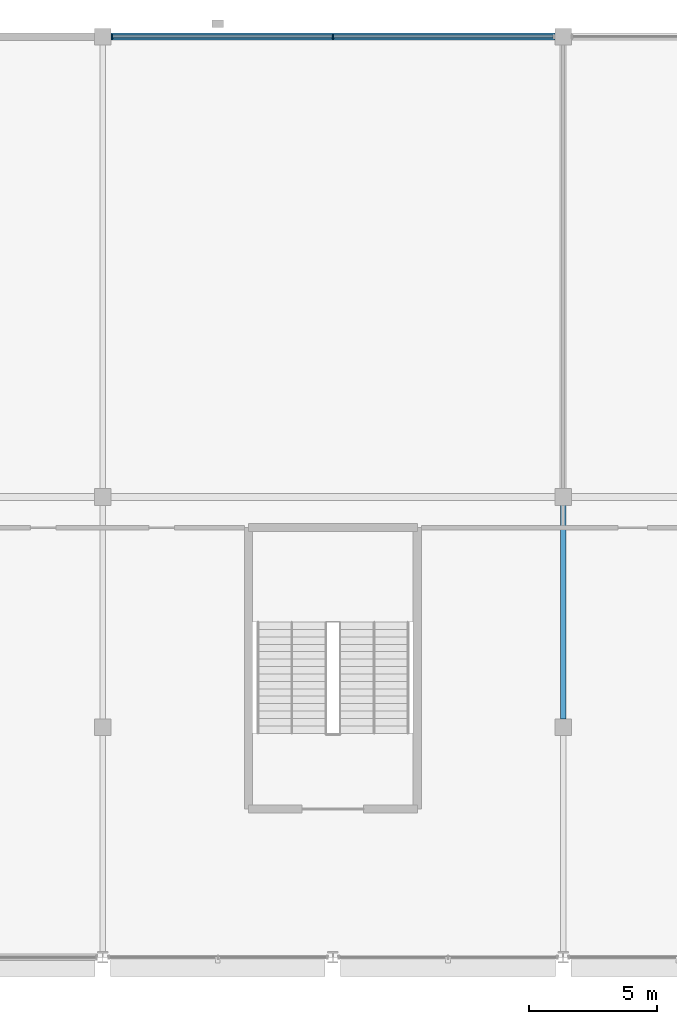
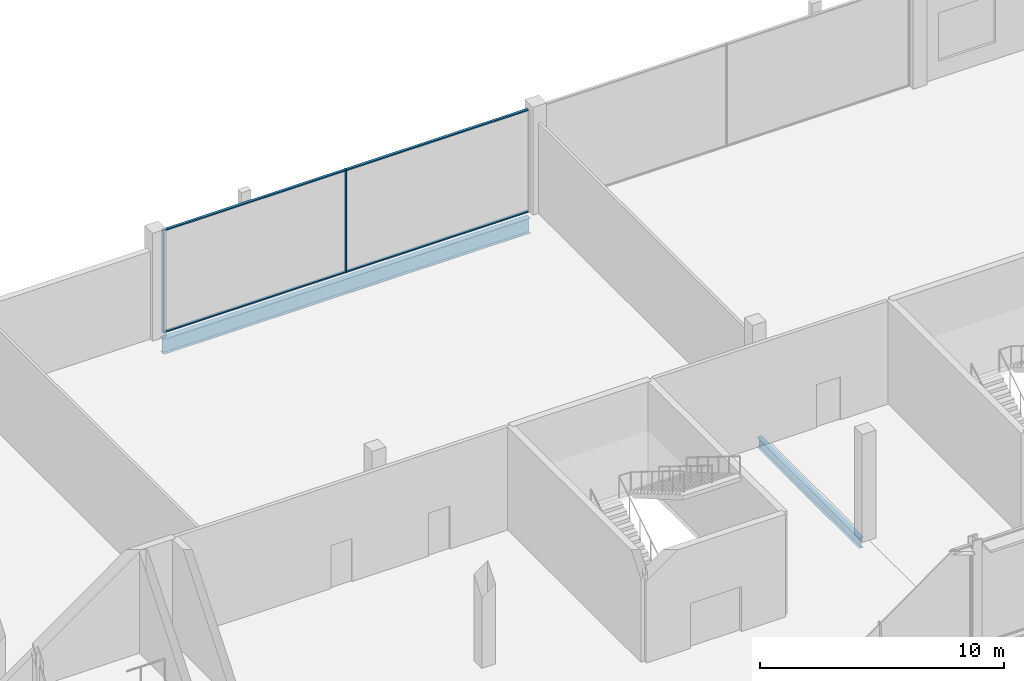
# One storey, part 37 of 111: 6 members, 2 beams, 1 element without a shape of its own.
"""IFC4 building model written with IfcOpenShell, lengths in metres."""

from ifc_helpers import new_model, si_unit, direction, frame, origin, origin_2d, place, context, subcontext, project, spatial, rectangle, i_section, extrude, material, layer, layer_set, material_profile, profile_set, type_object, element, aggregate, save


model = new_model("IFC4")

# Units and contexts
model_context = context("Model", 3, precision=1e-05, world=origin(), true_north=direction((0.0, 1.0)))
body_context = subcontext(model_context, "Body", "Model", "MODEL_VIEW")
ifc_project = project(units=[si_unit("LENGTHUNIT", "METRE"), si_unit("AREAUNIT", "SQUARE_METRE"), si_unit("VOLUMEUNIT", "CUBIC_METRE"), si_unit("PLANEANGLEUNIT", "RADIAN"), si_unit("MASSUNIT", "GRAM", prefix="KILO")], contexts=[model_context])

# Site, building, storey
site_placement = place(None, origin())
site = spatial("IfcSite", under=ifc_project, at=site_placement, CompositionType="ELEMENT")
building_placement = place(site_placement, origin())
building = spatial("IfcBuilding", under=site, at=building_placement, Name="Kisiwana Market Hall", CompositionType="ELEMENT")
storey_placement = place(building_placement, frame((0.0, 0.0, 11.39990234375)))
storey = spatial("IfcBuildingStorey", under=building, at=storey_placement, Name="L02", CompositionType="ELEMENT", Elevation=11.39990234375)

# Beams
ifc_material_1 = material(Name="Steel S355", Category="steel")
ifc_material_profile_1 = material_profile(ifc_material_1, i_section(OverallWidth=0.209228515625, OverallDepth=0.533203125, WebThickness=0.010009765625, FlangeThickness=0.015625, at=origin_2d()), Name="UB 533x210x92")
ifc_profile_set_1 = profile_set([ifc_material_profile_1], Name="Steel S355")
beam_type_1 = type_object("IfcBeamType", Name="BM-GIRD-UB533", PredefinedType="BEAM", material=ifc_profile_set_1)
beam_1_placement = place(storey_placement, frame((99.0, 93.321044921875, -0.516357421875), z_axis=(0.0, 1.0, 0.0), x_axis=(-1.0, 0.0, 0.0)))
element("IfcBeam", 1, at=beam_1_placement, inside=storey, type_object=beam_type_1, Name="Primary girder B-0647", PredefinedType="BEAM", context=body_context, shape_type="SweptSolid", body=[
    extrude(i_section(OverallWidth=0.209228515625, OverallDepth=0.533203125, WebThickness=0.010009765625, FlangeThickness=0.015625, at=origin_2d()), origin(), (0.0, 0.0, 1.0), 8.35791015625),
])
ifc_material_2 = material(Name="Steel S355", Category="steel")
ifc_material_profile_2 = material_profile(ifc_material_2, i_section(OverallWidth=0.2666015625, OverallDepth=0.76220703125, WebThickness=0.014404296875, FlangeThickness=0.021484375, at=origin_2d()), Name="UB 762x267x173")
ifc_profile_set_2 = profile_set([ifc_material_profile_2], Name="Steel S355")
beam_type_2 = type_object("IfcBeamType", Name="BM-GIRD-UB762", PredefinedType="BEAM", material=ifc_profile_set_2)
beam_2_placement = place(storey_placement, frame((81.321044921875, 120.0, -0.631103515625), z_axis=(1.0, 0.0, 0.0), x_axis=(0.0, 1.0, 0.0)))
element("IfcBeam", 2, at=beam_2_placement, inside=storey, type_object=beam_type_2, Name="Floor beam B-0817", PredefinedType="BEAM", context=body_context, shape_type="SweptSolid", body=[
    extrude(i_section(OverallWidth=0.2666015625, OverallDepth=0.76220703125, WebThickness=0.014404296875, FlangeThickness=0.021484375, at=origin_2d()), origin(), (0.0, 0.0, 1.0), 17.35791015625),
])

# Curtain wall, members
ifc_material_3 = material(Name="Double-glazed solar-control low-E IGU", Category="glass")
ifc_layer = layer(ifc_material_3, 0.159912109375)
ifc_layer_set = layer_set([ifc_layer], Name="CW-GLD-E-7200")
curtain_wall_type = type_object("IfcCurtainWallType", Name="CW-GLD-E-7200", PredefinedType="USERDEFINED", material=ifc_layer_set)
curtain_wall_placement = place(storey_placement, origin())
curtain_wall = element("IfcCurtainWall", 3, at=curtain_wall_placement, inside=storey, type_object=curtain_wall_type, Name="Unitised curtain wall CW-083 (L02)", ObjectType="UNITISED CURTAIN WALL", PredefinedType="USERDEFINED")
ifc_material_4 = material(Name="Aluminium alloy 6063-T6", Category="aluminium")
ifc_material_profile_3 = material_profile(ifc_material_4, rectangle(XDim=0.06005859375, YDim=0.159912109375, at=origin_2d()), Name="ALU MULLION 60x160")
ifc_profile_set_3 = profile_set([ifc_material_profile_3], Name="Aluminium alloy 6063-T6")
member_type_1 = type_object("IfcMemberType", Name="CW-MULL-60x160", PredefinedType="MULLION", material=ifc_profile_set_3)
member_1_placement = place(storey_placement, frame((81.35498046875, 120.0, 0.0), z_axis=(0.0, 0.0, 1.0), x_axis=(1.0, 0.0, 0.0)))
member_1 = element("IfcMember", 4, at=member_1_placement, type_object=member_type_1, Name="CW-083 mullion 1", PredefinedType="MULLION", context=body_context, shape_type="SweptSolid", body=[
    extrude(rectangle(XDim=0.06005859375, YDim=0.159912109375, at=origin_2d()), origin(), (0.0, 0.0, 1.0), 5.150146484375),
])
member_2_placement = place(storey_placement, frame((90.0, 120.0, 0.0), z_axis=(0.0, 0.0, 1.0), x_axis=(1.0, 0.0, 0.0)))
member_2 = element("IfcMember", 5, at=member_2_placement, type_object=member_type_1, Name="CW-083 mullion 2", PredefinedType="MULLION", context=body_context, shape_type="SweptSolid", body=[
    extrude(rectangle(XDim=0.06005859375, YDim=0.159912109375, at=origin_2d()), origin(), (0.0, 0.0, 1.0), 5.150146484375),
])
ifc_material_5 = material(Name="Aluminium alloy 6063-T6", Category="aluminium")
ifc_material_profile_4 = material_profile(ifc_material_5, rectangle(XDim=0.1201171875, YDim=0.06005859375, at=origin_2d()), Name="ALU TRANSOM 60x120")
ifc_profile_set_4 = profile_set([ifc_material_profile_4], Name="Aluminium alloy 6063-T6")
member_type_2 = type_object("IfcMemberType", Name="CW-TRAN-60x120", PredefinedType="USERDEFINED", material=ifc_profile_set_4)
member_3_placement = place(storey_placement, frame((81.385009765625, 120.0, 0.030029296875), z_axis=(1.0, 0.0, 0.0), x_axis=(0.0, 1.0, 0.0)))
member_3 = element("IfcMember", 6, at=member_3_placement, type_object=member_type_2, Name="CW-083 transom 1.1", ObjectType="TRANSOM", PredefinedType="USERDEFINED", context=body_context, shape_type="SweptSolid", body=[
    extrude(rectangle(XDim=0.1201171875, YDim=0.06005859375, at=origin_2d()), origin(), (0.0, 0.0, 1.0), 8.5849609375),
])
member_4_placement = place(storey_placement, frame((81.385009765625, 120.0, 5.1201171875), z_axis=(1.0, 0.0, 0.0), x_axis=(0.0, 1.0, 0.0)))
member_4 = element("IfcMember", 7, at=member_4_placement, type_object=member_type_2, Name="CW-083 transom 1.2", ObjectType="TRANSOM", PredefinedType="USERDEFINED", context=body_context, shape_type="SweptSolid", body=[
    extrude(rectangle(XDim=0.1201171875, YDim=0.06005859375, at=origin_2d()), origin(), (0.0, 0.0, 1.0), 8.5849609375),
])
member_5_placement = place(storey_placement, frame((90.030029296875, 120.0, 0.030029296875), z_axis=(1.0, 0.0, 0.0), x_axis=(0.0, 1.0, 0.0)))
member_5 = element("IfcMember", 8, at=member_5_placement, type_object=member_type_2, Name="CW-083 transom 2.1", ObjectType="TRANSOM", PredefinedType="USERDEFINED", context=body_context, shape_type="SweptSolid", body=[
    extrude(rectangle(XDim=0.1201171875, YDim=0.06005859375, at=origin_2d()), origin(), (0.0, 0.0, 1.0), 8.5849609375),
])
member_6_placement = place(storey_placement, frame((90.030029296875, 120.0, 5.1201171875), z_axis=(1.0, 0.0, 0.0), x_axis=(0.0, 1.0, 0.0)))
member_6 = element("IfcMember", 9, at=member_6_placement, type_object=member_type_2, Name="CW-083 transom 2.2", ObjectType="TRANSOM", PredefinedType="USERDEFINED", context=body_context, shape_type="SweptSolid", body=[
    extrude(rectangle(XDim=0.1201171875, YDim=0.06005859375, at=origin_2d()), origin(), (0.0, 0.0, 1.0), 8.5849609375),
])
aggregate(curtain_wall, [member_1, member_2, member_3, member_4, member_5, member_6])

save(model, "model.ifc")
